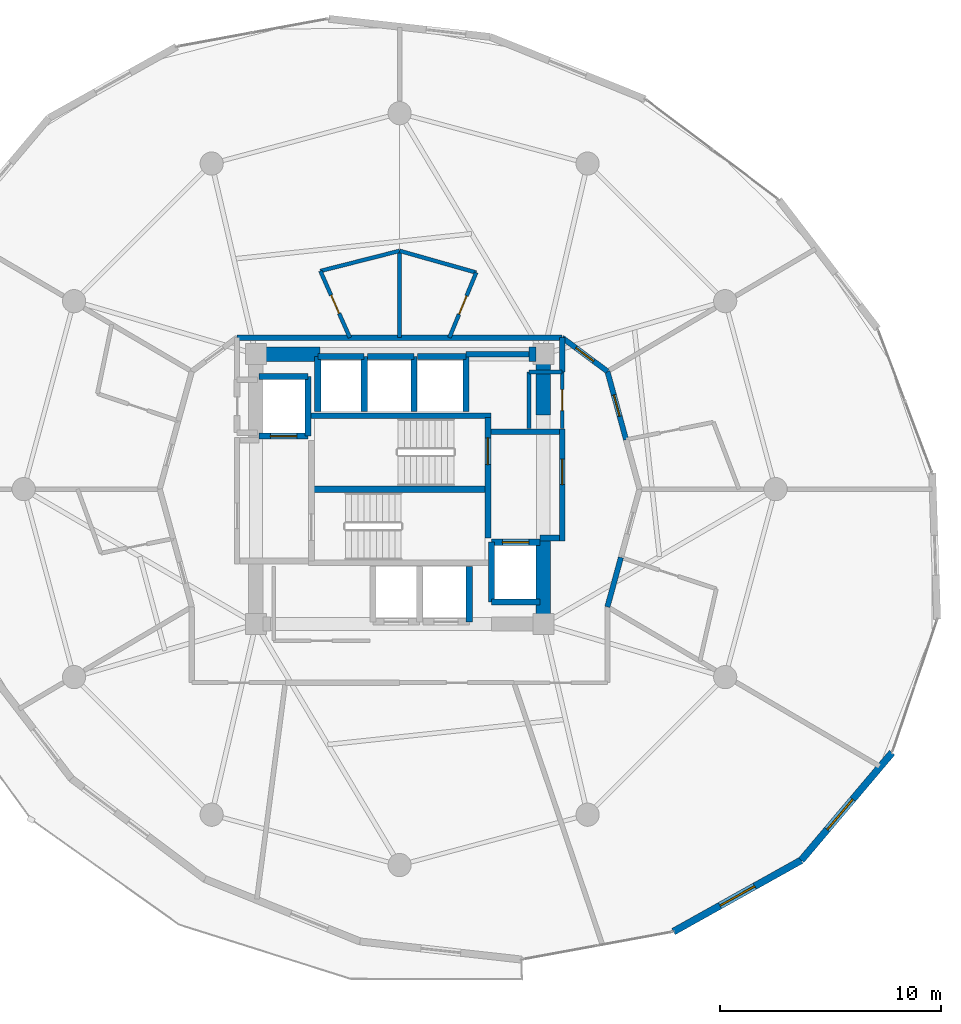
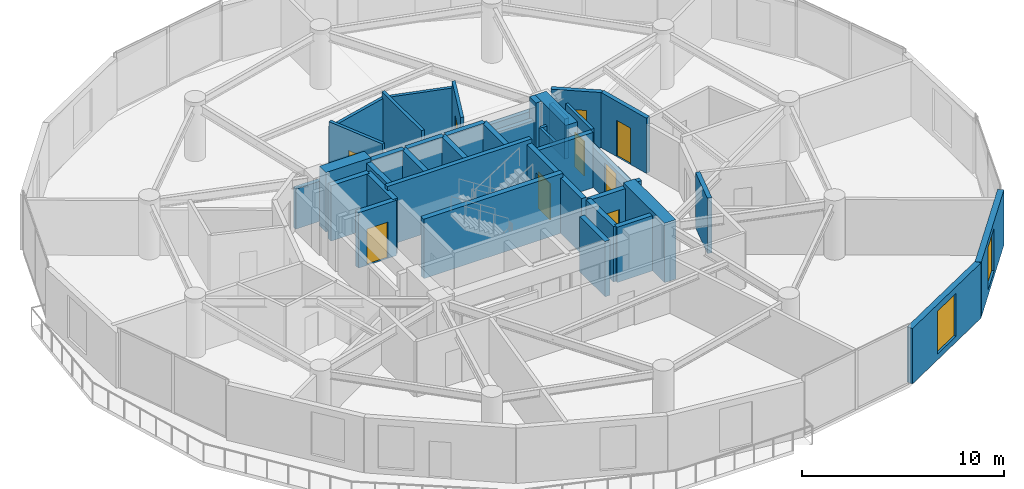
# One storey, part 22 of 25: 40 walls, 9 doors, 2 windows, 11 openings.
"""IFC4 building model written with IfcOpenShell, lengths in metres."""

from ifc_helpers import new_model, si_unit, direction, frame, frame_2d, origin, place, context, subcontext, project, spatial, rectangle, extrude, material, layer, layer_set, type_object, element, fill, save


model = new_model("IFC4")

# Units and contexts
model_context = context("Model", 3, precision=1e-05, world=origin(), true_north=direction((0.0, 1.0)))
body_context = subcontext(model_context, "Body", "Model", "MODEL_VIEW")
ifc_project = project(units=[si_unit("LENGTHUNIT", "METRE"), si_unit("AREAUNIT", "SQUARE_METRE"), si_unit("VOLUMEUNIT", "CUBIC_METRE"), si_unit("PLANEANGLEUNIT", "RADIAN"), si_unit("MASSUNIT", "GRAM", prefix="KILO")], contexts=[model_context])

# Site, building, storey
site_placement = place(None, origin())
site = spatial("IfcSite", under=ifc_project, at=site_placement, CompositionType="ELEMENT")
building_placement = place(site_placement, origin())
building = spatial("IfcBuilding", under=site, at=building_placement, Name="Solvirekh Grand Hotel", CompositionType="ELEMENT")
storey_placement = place(building_placement, frame((0.0, 0.0, 102.60009765625)))
storey = spatial("IfcBuildingStorey", under=building, at=storey_placement, Name="L25", CompositionType="ELEMENT", Elevation=102.60009765625)

# Walls
ifc_material_1 = material(Name="Concrete C50/60", Category="concrete")
ifc_layer_1 = layer(ifc_material_1, 0.35009765625)
ifc_layer_set_1 = layer_set([ifc_layer_1], Name="Concrete C50/60")
wall_type_1 = type_object("IfcWallType", Name="CoreDivWall_RC350", PredefinedType="SOLIDWALL", material=ifc_layer_set_1)
wall_1_placement = place(storey_placement, frame((-4.1298828125, 3.324951171875, 0.0), z_axis=(0.0, 0.0, 1.0), x_axis=(1.0, 0.0, 0.0)))
element("IfcWall", 1, at=wall_1_placement, inside=storey, type_object=wall_type_1, Name="L25 core stair box wall ST-N", PredefinedType="SOLIDWALL", context=body_context, shape_type="SweptSolid", body=[
    extrude(rectangle(XDim=8.259765625, YDim=0.25, at=frame_2d((4.1298828125, 0.0))), origin(), (0.0, 0.0, 1.0), 3.599853515625),
])
ifc_material_2 = material(Name="Concrete C40/50", Category="concrete")
ifc_layer_2 = layer(ifc_material_2, 0.280029296875)
ifc_layer_set_2 = layer_set([ifc_layer_2], Name="Concrete C40/50")
wall_type_2 = type_object("IfcWallType", Name="CoreShaftWall_RC280", PredefinedType="SOLIDWALL", material=ifc_layer_set_2)
wall_2_placement = place(storey_placement, frame((3.14990234375, -6.0, 0.0), z_axis=(0.0, 0.0, 1.0), x_axis=(0.0, 1.0, 0.0)))
element("IfcWall", 2, at=wall_2_placement, inside=storey, type_object=wall_type_2, Name="L25 MP-2 hoistway E wall", PredefinedType="SOLIDWALL", context=body_context, shape_type="SweptSolid", body=[
    extrude(rectangle(XDim=2.5, YDim=0.280029296875, at=frame_2d((1.25, 0.0))), origin(), (0.0, 0.0, 1.0), 3.349853515625),
])
wall_3_placement = place(storey_placement, frame((-1.60009765625, 6.0, 0.0), z_axis=(0.0, 0.0, 1.0), x_axis=(-1.0, 0.0, 0.0)))
element("IfcWall", 3, at=wall_3_placement, inside=storey, type_object=wall_type_2, Name="L25 HP-1 hoistway N wall", PredefinedType="SOLIDWALL", context=body_context, shape_type="SweptSolid", body=[
    extrude(rectangle(XDim=2.099853515625, YDim=0.280029296875, at=frame_2d((1.0498046875, 0.0))), origin(), (0.0, 0.0, 1.0), 3.349853515625),
])
for number, where, z_axis, x_axis, name in (
    (4, (-3.699951171875, 6.0, 0.0), (0.0, 0.0, 1.0), (0.0, -1.0, 0.0), "L25 HP-1 hoistway W wall"),
    (5, (-1.60009765625, 3.5, 0.0), (0.0, 0.0, 1.0), (0.0, 1.0, 0.0), "L25 HP-1 hoistway E wall"),
):
    element("IfcWall", number, at=place(storey_placement, frame(where, z_axis=z_axis, x_axis=x_axis)), inside=storey, type_object=wall_type_2, Name=name, PredefinedType="SOLIDWALL", context=body_context, shape_type="SweptSolid", body=[
        extrude(rectangle(XDim=2.5, YDim=0.280029296875, at=frame_2d((1.25, 0.0))), origin(), (0.0, 0.0, 1.0), 3.349853515625),
    ])
wall_4_placement = place(storey_placement, frame((0.64990234375, 6.0, 0.0), z_axis=(0.0, 0.0, 1.0), x_axis=(-1.0, 0.0, 0.0)))
element("IfcWall", 6, at=wall_4_placement, inside=storey, type_object=wall_type_2, Name="L25 HP-2 hoistway N wall", PredefinedType="SOLIDWALL", context=body_context, shape_type="SweptSolid", body=[
    extrude(rectangle(XDim=2.099853515625, YDim=0.280029296875, at=frame_2d((1.0498046875, 0.0))), origin(), (0.0, 0.0, 1.0), 3.349853515625),
])
wall_5_placement = place(storey_placement, frame((0.64990234375, 3.5, 0.0), z_axis=(0.0, 0.0, 1.0), x_axis=(0.0, 1.0, 0.0)))
element("IfcWall", 7, at=wall_5_placement, inside=storey, type_object=wall_type_2, Name="L25 HP-2 hoistway E wall", PredefinedType="SOLIDWALL", context=body_context, shape_type="SweptSolid", body=[
    extrude(rectangle(XDim=2.5, YDim=0.280029296875, at=frame_2d((1.25, 0.0))), origin(), (0.0, 0.0, 1.0), 3.349853515625),
])
wall_6_placement = place(storey_placement, frame((3.0, 6.0, 0.0), z_axis=(0.0, 0.0, 1.0), x_axis=(-1.0, 0.0, 0.0)))
element("IfcWall", 8, at=wall_6_placement, inside=storey, type_object=wall_type_2, Name="L25 EX-1 hoistway N wall", PredefinedType="SOLIDWALL", context=body_context, shape_type="SweptSolid", body=[
    extrude(rectangle(XDim=2.199951171875, YDim=0.280029296875, at=frame_2d((1.10009765625, 0.0))), origin(), (0.0, 0.0, 1.0), 3.349853515625),
])
wall_7_placement = place(storey_placement, frame((3.0, 3.5, 0.0), z_axis=(0.0, 0.0, 1.0), x_axis=(0.0, 1.0, 0.0)))
element("IfcWall", 9, at=wall_7_placement, inside=storey, type_object=wall_type_2, Name="L25 EX-1 hoistway E wall", PredefinedType="SOLIDWALL", context=body_context, shape_type="SweptSolid", body=[
    extrude(rectangle(XDim=2.5, YDim=0.280029296875, at=frame_2d((1.25, 0.0))), origin(), (0.0, 0.0, 1.0), 3.349853515625),
])

# Wall, opening, door
wall_8_placement = place(storey_placement, frame((-6.35009765625, 2.39990234375, 0.0), z_axis=(0.0, 0.0, 1.0), x_axis=(1.0, 0.0, 0.0)))
wall_8 = element("IfcWall", 10, at=wall_8_placement, inside=storey, type_object=wall_type_2, Name="L25 FL-1 hoistway S wall", PredefinedType="SOLIDWALL", context=body_context, shape_type="SweptSolid", body=[
    extrude(rectangle(XDim=2.2001953125, YDim=0.280029296875, at=frame_2d((1.10009765625, 0.0))), origin(), (0.0, 0.0, 1.0), 3.349853515625),
])
opening_1_placement = place(wall_8_placement, frame((0.5, 0.0, 0.0)))
opening_1 = element("IfcOpeningElement", 11, at=opening_1_placement, cuts=wall_8, Name="Opening LD02", PredefinedType="OPENING", context=body_context, shape_type="SweptSolid", body=[
    extrude(rectangle(XDim=1.199951171875, YDim=2.199951171875, at=frame_2d((0.60009765625, 1.10009765625))), frame((0.0, 0.14990234375, 0.0), z_axis=(0.0, -1.0, 0.0), x_axis=(1.0, 0.0, 0.0)), (0.0, 0.0, 1.0), 0.300048828125),
])
ifc_material_3 = material(Name="Fire-Rated Steel Door Assembly", Category="steel")
door_type_1 = type_object("IfcDoorType", Name="Door_LiftFF_1200X2200", OperationType="SLIDING_TO_LEFT", PredefinedType="DOOR", material=ifc_material_3)
door_1_placement = place(opening_1_placement, origin())
door_1 = element("IfcDoor", 12, at=door_1_placement, inside=storey, type_object=door_type_1, Name="L25 FL-1 sliding lift landing door", OperationType="SLIDING_TO_LEFT", OverallHeight=2.199951171875, OverallWidth=1.199951171875, PredefinedType="DOOR", context=body_context, shape_type="SweptSolid", body=[
    extrude(rectangle(XDim=1.199951171875, YDim=2.199951171875, at=frame_2d((0.60009765625, 1.10009765625))), frame((0.0, 0.02490234375, 0.0), z_axis=(0.0, -1.0, 0.0), x_axis=(1.0, 0.0, 0.0)), (0.0, 0.0, 1.0), 0.050048828125),
])
fill(opening_1, door_1)

# Walls
wall_9_placement = place(storey_placement, frame((-4.14990234375, 5.10009765625, 0.0), z_axis=(0.0, 0.0, 1.0), x_axis=(-1.0, 0.0, 0.0)))
element("IfcWall", 13, at=wall_9_placement, inside=storey, type_object=wall_type_2, Name="L25 FL-1 hoistway N wall", PredefinedType="SOLIDWALL", context=body_context, shape_type="SweptSolid", body=[
    extrude(rectangle(XDim=2.2001953125, YDim=0.280029296875, at=frame_2d((1.10009765625, 0.0))), origin(), (0.0, 0.0, 1.0), 3.349853515625),
])
wall_10_placement = place(storey_placement, frame((-4.14990234375, 2.39990234375, 0.0), z_axis=(0.0, 0.0, 1.0), x_axis=(0.0, 1.0, 0.0)))
element("IfcWall", 14, at=wall_10_placement, inside=storey, type_object=wall_type_2, Name="L25 FL-1 hoistway E wall", PredefinedType="SOLIDWALL", context=body_context, shape_type="SweptSolid", body=[
    extrude(rectangle(XDim=2.7001953125, YDim=0.280029296875, at=frame_2d((1.35009765625, 0.0))), origin(), (0.0, 0.0, 1.0), 3.349853515625),
])
wall_11_placement = place(storey_placement, frame((4.14990234375, -5.10009765625, 0.0), z_axis=(0.0, 0.0, 1.0), x_axis=(1.0, 0.0, 0.0)))
element("IfcWall", 15, at=wall_11_placement, inside=storey, type_object=wall_type_2, Name="L25 FL-2 hoistway S wall", PredefinedType="SOLIDWALL", context=body_context, shape_type="SweptSolid", body=[
    extrude(rectangle(XDim=2.2001953125, YDim=0.280029296875, at=frame_2d((1.10009765625, 0.0))), origin(), (0.0, 0.0, 1.0), 3.349853515625),
])

# Wall, opening, door
wall_12_placement = place(storey_placement, frame((6.35009765625, -2.39990234375, 0.0), z_axis=(0.0, 0.0, 1.0), x_axis=(-1.0, 0.0, 0.0)))
wall_12 = element("IfcWall", 16, at=wall_12_placement, inside=storey, type_object=wall_type_2, Name="L25 FL-2 hoistway N wall", PredefinedType="SOLIDWALL", context=body_context, shape_type="SweptSolid", body=[
    extrude(rectangle(XDim=2.2001953125, YDim=0.280029296875, at=frame_2d((1.10009765625, 0.0))), origin(), (0.0, 0.0, 1.0), 3.349853515625),
])
opening_2_placement = place(wall_12_placement, frame((0.5, 0.0, 0.0)))
opening_2 = element("IfcOpeningElement", 17, at=opening_2_placement, cuts=wall_12, Name="Opening LD02", PredefinedType="OPENING", context=body_context, shape_type="SweptSolid", body=[
    extrude(rectangle(XDim=1.199951171875, YDim=2.199951171875, at=frame_2d((0.60009765625, 1.10009765625))), frame((0.0, 0.14990234375, 0.0), z_axis=(0.0, -1.0, 0.0), x_axis=(1.0, 0.0, 0.0)), (0.0, 0.0, 1.0), 0.300048828125),
])
door_2_placement = place(opening_2_placement, origin())
door_2 = element("IfcDoor", 18, at=door_2_placement, inside=storey, type_object=door_type_1, Name="L25 FL-2 sliding lift landing door", OperationType="SLIDING_TO_LEFT", OverallHeight=2.199951171875, OverallWidth=1.199951171875, PredefinedType="DOOR", context=body_context, shape_type="SweptSolid", body=[
    extrude(rectangle(XDim=1.199951171875, YDim=2.199951171875, at=frame_2d((0.60009765625, 1.10009765625))), frame((0.0, 0.02490234375, 0.0), z_axis=(0.0, -1.0, 0.0), x_axis=(1.0, 0.0, 0.0)), (0.0, 0.0, 1.0), 0.050048828125),
])
fill(opening_2, door_2)

# Wall
wall_13_placement = place(storey_placement, frame((4.14990234375, -2.39990234375, 0.0), z_axis=(0.0, 0.0, 1.0), x_axis=(0.0, -1.0, 0.0)))
element("IfcWall", 19, at=wall_13_placement, inside=storey, type_object=wall_type_2, Name="L25 FL-2 hoistway W wall", PredefinedType="SOLIDWALL", context=body_context, shape_type="SweptSolid", body=[
    extrude(rectangle(XDim=2.7001953125, YDim=0.280029296875, at=frame_2d((1.35009765625, 0.0))), origin(), (0.0, 0.0, 1.0), 3.349853515625),
])

# Wall, opening, door
wall_14_placement = place(storey_placement, frame((3.989990234375, -2.2099609375, 0.0), z_axis=(0.0, 0.0, 1.0), x_axis=(0.0, 1.0, 0.0)))
wall_14 = element("IfcWall", 20, at=wall_14_placement, inside=storey, type_object=wall_type_2, Name="L25 east stair landing enclosure wall", PredefinedType="SOLIDWALL", context=body_context, shape_type="SweptSolid", body=[
    extrude(rectangle(XDim=5.4599609375, YDim=0.280029296875, at=frame_2d((2.72998046875, 0.0))), origin(), (0.0, 0.0, 1.0), 3.349853515625),
])
opening_3_placement = place(wall_14_placement, frame((3.322998046875, 0.0, 0.0)))
opening_3 = element("IfcOpeningElement", 21, at=opening_3_placement, cuts=wall_14, Name="Opening D05", PredefinedType="OPENING", context=body_context, shape_type="SweptSolid", body=[
    extrude(rectangle(XDim=1.199951171875, YDim=2.199951171875, at=frame_2d((0.60009765625, 1.10009765625))), frame((0.0, 0.14990234375, 0.0), z_axis=(0.0, -1.0, 0.0), x_axis=(1.0, 0.0, 0.0)), (0.0, 0.0, 1.0), 0.300048828125),
])
door_type_2 = type_object("IfcDoorType", Name="Door_StairCore_1200X2200", OperationType="NOTDEFINED", PredefinedType="DOOR", material=ifc_material_3)
door_3_placement = place(opening_3_placement, origin())
door_3 = element("IfcDoor", 22, at=door_3_placement, inside=storey, type_object=door_type_2, Name="L25 exit stair ST-2 fire door", OperationType="SINGLE_SWING_LEFT", OverallHeight=2.199951171875, OverallWidth=1.199951171875, PredefinedType="DOOR", context=body_context, shape_type="SweptSolid", body=[
    extrude(rectangle(XDim=1.199951171875, YDim=2.199951171875, at=frame_2d((0.60009765625, 1.10009765625))), frame((0.0, 0.02490234375, 0.0), z_axis=(0.0, -1.0, 0.0), x_axis=(1.0, 0.0, 0.0)), (0.0, 0.0, 1.0), 0.050048828125),
])
fill(opening_3, door_3)

# Walls
ifc_layer_3 = layer(ifc_material_1, 0.64990234375)
ifc_layer_set_3 = layer_set([ifc_layer_3], Name="Concrete C50/60")
wall_type_3 = type_object("IfcWallType", Name="CoreWall_RC650", PredefinedType="SHEAR", material=ifc_layer_set_3)
wall_15_placement = place(storey_placement, frame((-3.989990234375, 0.0, 0.0), z_axis=(0.0, 0.0, 1.0), x_axis=(1.0, 0.0, 0.0)))
element("IfcWall", 23, at=wall_15_placement, inside=storey, type_object=wall_type_3, Name="L25 central stair-spine shear wall", PredefinedType="SHEAR", context=body_context, shape_type="SweptSolid", body=[
    extrude(rectangle(XDim=7.97998046875, YDim=0.300048828125, at=frame_2d((3.989990234375, 0.0))), origin(), (0.0, 0.0, 1.0), 3.599853515625),
])
wall_16_placement = place(storey_placement, frame((-6.175048828125, 6.10009765625, 0.0), z_axis=(0.0, 0.0, 1.0), x_axis=(1.0, 0.0, 0.0)))
element("IfcWall", 24, at=wall_16_placement, inside=storey, type_object=wall_type_3, Name="L25 core corner shear wall NW-N", PredefinedType="SHEAR", context=body_context, shape_type="SweptSolid", body=[
    extrude(rectangle(XDim=2.574951171875, YDim=0.64990234375, at=frame_2d((1.28759765625, 0.0))), origin(), (0.0, 0.0, 1.0), 3.599853515625),
])
wall_17_placement = place(storey_placement, frame((5.85009765625, 6.10009765625, 0.0), z_axis=(0.0, 0.0, 1.0), x_axis=(1.0, 0.0, 0.0)))
element("IfcWall", 25, at=wall_17_placement, inside=storey, type_object=wall_type_3, Name="L25 core corner shear wall NE-N", PredefinedType="SHEAR", context=body_context, shape_type="SweptSolid", body=[
    extrude(rectangle(XDim=0.324951171875, YDim=0.64990234375, at=frame_2d((0.16259765625, 0.0))), origin(), (0.0, 0.0, 1.0), 3.599853515625),
])
wall_18_placement = place(storey_placement, frame((6.5, -6.425048828125, 0.0), z_axis=(0.0, 0.0, 1.0), x_axis=(0.0, 1.0, 0.0)))
element("IfcWall", 26, at=wall_18_placement, inside=storey, type_object=wall_type_3, Name="L25 core corner shear wall ES-E", PredefinedType="SHEAR", context=body_context, shape_type="SweptSolid", body=[
    extrude(rectangle(XDim=4.074951171875, YDim=0.64990234375, at=frame_2d((2.03759765625, 0.0))), origin(), (0.0, 0.0, 1.0), 3.599853515625),
])
wall_19_placement = place(storey_placement, frame((6.5, 3.35009765625, 0.0), z_axis=(0.0, 0.0, 1.0), x_axis=(0.0, 1.0, 0.0)))
element("IfcWall", 27, at=wall_19_placement, inside=storey, type_object=wall_type_3, Name="L25 core corner shear wall EN-E", PredefinedType="SHEAR", context=body_context, shape_type="SweptSolid", body=[
    extrude(rectangle(XDim=3.074951171875, YDim=0.64990234375, at=frame_2d((1.53759765625, 0.0))), origin(), (0.0, 0.0, 1.0), 3.599853515625),
])

# Wall, opening, window
ifc_material_4 = material(Name="Precast concrete C45/55", Category="concrete")
ifc_layer_4 = layer(ifc_material_4, 0.320068359375)
ifc_layer_set_4 = layer_set([ifc_layer_4], Name="Precast concrete C45/55")
wall_type_4 = type_object("IfcWallType", Name="ExtLobbyWall_RC320", PredefinedType="SOLIDWALL", material=ifc_layer_set_4)
wall_20_placement = place(storey_placement, frame((18.158935546875, -16.784912109375, 0.0), z_axis=(0.0, 0.0, 1.0), x_axis=(-0.873166276034, -0.487422459882, 0.0)))
wall_20 = element("IfcWall", 28, at=wall_20_placement, inside=storey, type_object=wall_type_4, Name="L25 exterior structural wall chord 19", PredefinedType="SOLIDWALL", context=body_context, shape_type="SweptSolid", body=[
    extrude(rectangle(XDim=6.612548828125, YDim=0.320068359375, at=frame_2d((3.30615234375, 0.0))), origin(), (0.0, 0.0, 1.0), 3.349853515625),
])
opening_4_placement = place(wall_20_placement, frame((2.406005859375, 0.0, 0.35009765625)))
opening_4 = element("IfcOpeningElement", 29, at=opening_4_placement, cuts=wall_20, Name="Opening W02", PredefinedType="OPENING", context=body_context, shape_type="SweptSolid", body=[
    extrude(rectangle(XDim=1.800048828125, YDim=2.60009765625, at=frame_2d((0.89990234375, 1.300048828125))), frame((0.0, 0.169921875, 0.0), z_axis=(0.0, -1.0, 0.0), x_axis=(1.0, 0.0, 0.0)), (0.0, 0.0, 1.0), 0.340087890625),
])
ifc_material_5 = material(Name="Low-E Tinted Bronze Laminated Glass", Category="aluminium")
window_type = type_object("IfcWindowType", Name="Win_LobbyExt_1800X2600", PartitioningType="SINGLE_PANEL", PredefinedType="WINDOW", material=ifc_material_5)
window_1_placement = place(opening_4_placement, origin())
window_1 = element("IfcWindow", 30, at=window_1_placement, inside=storey, type_object=window_type, Name="L25 panoramic bronze-framed window 19", OverallHeight=2.60009765625, OverallWidth=1.800048828125, PartitioningType="SINGLE_PANEL", PredefinedType="WINDOW", context=body_context, shape_type="SweptSolid", body=[
    extrude(rectangle(XDim=1.800048828125, YDim=2.60009765625, at=frame_2d((0.89990234375, 1.300048828125))), frame((0.0, 0.030029296875, 0.0), z_axis=(0.0, -1.0, 0.0), x_axis=(1.0, 0.0, 0.0)), (0.0, 0.0, 1.0), 0.06005859375),
])
fill(opening_4, window_1)

wall_21_placement = place(storey_placement, frame((22.26904296875, -11.9189453125, 0.0), z_axis=(0.0, 0.0, 1.0), x_axis=(-0.645278763483, -0.763947195425, 0.0)))
wall_21 = element("IfcWall", 31, at=wall_21_placement, inside=storey, type_object=wall_type_4, Name="L25 exterior structural wall chord 20", PredefinedType="SOLIDWALL", context=body_context, shape_type="SweptSolid", body=[
    extrude(rectangle(XDim=6.369384765625, YDim=0.320068359375, at=frame_2d((3.1845703125, 0.0))), origin(), (0.0, 0.0, 1.0), 3.349853515625),
])
opening_5_placement = place(wall_21_placement, frame((2.7509765625, 0.0, 0.35009765625)))
opening_5 = element("IfcOpeningElement", 32, at=opening_5_placement, cuts=wall_21, Name="Opening W02", PredefinedType="OPENING", context=body_context, shape_type="SweptSolid", body=[
    extrude(rectangle(XDim=1.800048828125, YDim=2.60009765625, at=frame_2d((0.89990234375, 1.300048828125))), frame((0.0, 0.169921875, 0.0), z_axis=(0.0, -1.0, 0.0), x_axis=(1.0, 0.0, 0.0)), (0.0, 0.0, 1.0), 0.340087890625),
])
window_2_placement = place(opening_5_placement, origin())
window_2 = element("IfcWindow", 33, at=window_2_placement, inside=storey, type_object=window_type, Name="L25 panoramic bronze-framed window 20", OverallHeight=2.60009765625, OverallWidth=1.800048828125, PartitioningType="SINGLE_PANEL", PredefinedType="WINDOW", context=body_context, shape_type="SweptSolid", body=[
    extrude(rectangle(XDim=1.800048828125, YDim=2.60009765625, at=frame_2d((0.89990234375, 1.300048828125))), frame((0.0, 0.030029296875, 0.0), z_axis=(0.0, -1.0, 0.0), x_axis=(1.0, 0.0, 0.0)), (0.0, 0.0, 1.0), 0.06005859375),
])
fill(opening_5, window_2)

# Wall, opening, door
ifc_material_6 = material(Name="Acoustic Gypsum Partition Assembly")
ifc_layer_5 = layer(ifc_material_6, 0.1650390625)
ifc_layer_set_5 = layer_set([ifc_layer_5], Name="Acoustic Gypsum Partition Assembly")
wall_type_5 = type_object("IfcWallType", Name="Part_BOH_165", PredefinedType="PARTITIONING", material=ifc_layer_set_5)
wall_22_placement = place(storey_placement, frame((7.35009765625, 2.75, 0.0), z_axis=(0.0, 0.0, 1.0), x_axis=(0.0, 1.0, 0.0)))
wall_22 = element("IfcWall", 34, at=wall_22_placement, inside=storey, type_object=wall_type_5, Name="L25 L25 Core Housekeeping & Linen Room wall 2", PredefinedType="PARTITIONING", context=body_context, shape_type="SweptSolid", body=[
    extrude(rectangle(XDim=2.550048828125, YDim=0.1650390625, at=frame_2d((1.27490234375, 0.0))), origin(), (0.0, 0.0, 1.0), 3.349853515625),
])
opening_6_placement = place(wall_22_placement, frame((0.800048828125, 0.0, 0.0)))
opening_6 = element("IfcOpeningElement", 35, at=opening_6_placement, cuts=wall_22, Name="Opening D10", PredefinedType="OPENING", context=body_context, shape_type="SweptSolid", body=[
    extrude(rectangle(XDim=0.949951171875, YDim=2.10009765625, at=frame_2d((0.47509765625, 1.050048828125))), frame((0.0, 0.092529296875, 0.0), z_axis=(0.0, -1.0, 0.0), x_axis=(1.0, 0.0, 0.0)), (0.0, 0.0, 1.0), 0.18505859375),
])
ifc_material_7 = material(Name="Anodized Bronze Aluminium 6063-T6", Category="aluminium")
door_type_3 = type_object("IfcDoorType", Name="Door_RoomInt_950X2100", OperationType="NOTDEFINED", PredefinedType="DOOR", material=ifc_material_7)
door_4_placement = place(opening_6_placement, origin())
door_4 = element("IfcDoor", 36, at=door_4_placement, inside=storey, type_object=door_type_3, Name="L25 L25 Core Housekeeping & Linen Room door", OperationType="SINGLE_SWING_LEFT", OverallHeight=2.10009765625, OverallWidth=0.949951171875, PredefinedType="DOOR", context=body_context, shape_type="SweptSolid", body=[
    extrude(rectangle(XDim=0.949951171875, YDim=2.10009765625, at=frame_2d((0.47509765625, 1.050048828125))), frame((0.0, 0.02490234375, 0.0), z_axis=(0.0, -1.0, 0.0), x_axis=(1.0, 0.0, 0.0)), (0.0, 0.0, 1.0), 0.050048828125),
])
fill(opening_6, door_4)

# Walls
wall_23_placement = place(storey_placement, frame((7.35009765625, 5.300048828125, 0.0), z_axis=(0.0, 0.0, 1.0), x_axis=(-1.0, 0.0, 0.0)))
element("IfcWall", 37, at=wall_23_placement, inside=storey, type_object=wall_type_5, Name="L25 L25 Core Housekeeping & Linen Room wall 3", PredefinedType="PARTITIONING", context=body_context, shape_type="SweptSolid", body=[
    extrude(rectangle(XDim=1.5, YDim=0.1650390625, at=frame_2d((0.75, 0.0))), origin(), (0.0, 0.0, 1.0), 2.434814453125),
])
wall_24_placement = place(storey_placement, frame((5.85009765625, 5.300048828125, 0.0), z_axis=(0.0, 0.0, 1.0), x_axis=(0.0, -1.0, 0.0)))
element("IfcWall", 38, at=wall_24_placement, inside=storey, type_object=wall_type_5, Name="L25 L25 Core Housekeeping & Linen Room wall 4", PredefinedType="PARTITIONING", context=body_context, shape_type="SweptSolid", body=[
    extrude(rectangle(XDim=2.550048828125, YDim=0.1650390625, at=frame_2d((1.27490234375, 0.0))), origin(), (0.0, 0.0, 1.0), 2.434814453125),
])

# Wall, opening, door
ifc_layer_6 = layer(ifc_material_6, 0.239990234375)
ifc_layer_set_6 = layer_set([ifc_layer_6], Name="Acoustic Gypsum Partition Assembly")
wall_type_6 = type_object("IfcWallType", Name="Part_Corridor_240", PredefinedType="PARTITIONING", material=ifc_layer_set_6)
wall_25_placement = place(storey_placement, frame((7.35009765625, -2.340087890625, 0.0), z_axis=(0.0, 0.0, 1.0), x_axis=(0.0, 1.0, 0.0)))
wall_25 = element("IfcWall", 39, at=wall_25_placement, inside=storey, type_object=wall_type_6, Name="L25 east firefighting lobby smoke screen wall", PredefinedType="PARTITIONING", context=body_context, shape_type="SweptSolid", body=[
    extrude(rectangle(XDim=5.070068359375, YDim=0.239990234375, at=frame_2d((2.53515625, 0.0))), origin(), (0.0, 0.0, 1.0), 2.434814453125),
])
opening_7_placement = place(wall_25_placement, frame((2.548095703125, 0.0, 0.0)))
opening_7 = element("IfcOpeningElement", 40, at=opening_7_placement, cuts=wall_25, Name="Opening D06", PredefinedType="OPENING", context=body_context, shape_type="SweptSolid", body=[
    extrude(rectangle(XDim=1.14990234375, YDim=2.199951171875, at=frame_2d((0.574951171875, 1.10009765625))), frame((0.0, 0.1298828125, 0.0), z_axis=(0.0, -1.0, 0.0), x_axis=(1.0, 0.0, 0.0)), (0.0, 0.0, 1.0), 0.260009765625),
])
door_type_4 = type_object("IfcDoorType", Name="Door_FFLobby_1150X2200", OperationType="NOTDEFINED", PredefinedType="DOOR", material=ifc_material_3)
door_5_placement = place(opening_7_placement, origin())
door_5 = element("IfcDoor", 41, at=door_5_placement, inside=storey, type_object=door_type_4, Name="L25 east firefighting lobby smoke door", OperationType="SINGLE_SWING_LEFT", OverallHeight=2.199951171875, OverallWidth=1.14990234375, PredefinedType="DOOR", context=body_context, shape_type="SweptSolid", body=[
    extrude(rectangle(XDim=1.14990234375, YDim=2.199951171875, at=frame_2d((0.574951171875, 1.10009765625))), frame((0.0, 0.02490234375, 0.0), z_axis=(0.0, -1.0, 0.0), x_axis=(1.0, 0.0, 0.0)), (0.0, 0.0, 1.0), 0.050048828125),
])
fill(opening_7, door_5)

# Walls
wall_26_placement = place(storey_placement, frame((-7.35009765625, 6.85009765625, 0.0), z_axis=(0.0, 0.0, 1.0), x_axis=(1.0, 0.0, 0.0)))
element("IfcWall", 42, at=wall_26_placement, inside=storey, type_object=wall_type_6, Name="L25 north core backing partition", PredefinedType="PARTITIONING", context=body_context, shape_type="SweptSolid", body=[
    extrude(rectangle(XDim=14.7001953125, YDim=0.239990234375, at=frame_2d((7.35009765625, 0.0))), origin(), (0.0, 0.0, 1.0), 2.434814453125),
])
wall_27_placement = place(storey_placement, frame((7.35009765625, 5.300048828125, 0.0), z_axis=(0.0, 0.0, 1.0), x_axis=(0.0, 1.0, 0.0)))
element("IfcWall", 43, at=wall_27_placement, inside=storey, type_object=wall_type_6, Name="L25 NE core cheek closure wall", PredefinedType="PARTITIONING", context=body_context, shape_type="SweptSolid", body=[
    extrude(rectangle(XDim=1.550048828125, YDim=0.239990234375, at=frame_2d((0.77490234375, 0.0))), origin(), (0.0, 0.0, 1.0), 2.434814453125),
])
wall_28_placement = place(storey_placement, frame((3.0, 6.10009765625, 0.0), z_axis=(0.0, 0.0, 1.0), x_axis=(1.0, 0.0, 0.0)))
element("IfcWall", 44, at=wall_28_placement, inside=storey, type_object=wall_type_6, Name="L25 north core shaft infill wall", PredefinedType="PARTITIONING", context=body_context, shape_type="SweptSolid", body=[
    extrude(rectangle(XDim=2.85009765625, YDim=0.239990234375, at=frame_2d((1.425048828125, 0.0))), origin(), (0.0, 0.0, 1.0), 2.434814453125),
])

# Wall, opening, door
wall_29_placement = place(storey_placement, frame((7.35009765625, 6.85009765625, 0.0), z_axis=(0.0, 0.0, 1.0), x_axis=(0.8017416961, -0.597670689205, 0.0)))
wall_29 = element("IfcWall", 45, at=wall_29_placement, inside=storey, type_object=wall_type_6, Name="L25 Panorama Suite 2701 entrance wall", PredefinedType="PARTITIONING", context=body_context, shape_type="SweptSolid", body=[
    extrude(rectangle(XDim=2.5517578125, YDim=0.239990234375, at=frame_2d((1.27587890625, 0.0))), origin(), (0.0, 0.0, 1.0), 3.349853515625),
])
opening_8_placement = place(wall_29_placement, frame((0.77587890625, 0.0, 0.0)))
opening_8 = element("IfcOpeningElement", 46, at=opening_8_placement, cuts=wall_29, Name="Opening D07", PredefinedType="OPENING", context=body_context, shape_type="SweptSolid", body=[
    extrude(rectangle(XDim=1.0, YDim=2.199951171875, at=frame_2d((0.5, 1.10009765625))), frame((0.0, 0.1298828125, 0.0), z_axis=(0.0, -1.0, 0.0), x_axis=(1.0, 0.0, 0.0)), (0.0, 0.0, 1.0), 0.260009765625),
])
door_type_5 = type_object("IfcDoorType", Name="Door_GuestEntry_1000X2200", OperationType="NOTDEFINED", PredefinedType="DOOR", material=ifc_material_3)
door_6_placement = place(opening_8_placement, origin())
door_6 = element("IfcDoor", 47, at=door_6_placement, inside=storey, type_object=door_type_5, Name="L25 Panorama Suite 2701 entrance door", OperationType="SINGLE_SWING_RIGHT", OverallHeight=2.199951171875, OverallWidth=1.0, PredefinedType="DOOR", context=body_context, shape_type="SweptSolid", body=[
    extrude(rectangle(XDim=1.0, YDim=2.199951171875, at=frame_2d((0.5, 1.10009765625))), frame((0.0, 0.02490234375, 0.0), z_axis=(0.0, -1.0, 0.0), x_axis=(1.0, 0.0, 0.0)), (0.0, 0.0, 1.0), 0.050048828125),
])
fill(opening_8, door_6)

# Wall
wall_30_placement = place(storey_placement, frame((9.39599609375, -5.324951171875, 0.0), z_axis=(0.0, 0.0, 1.0), x_axis=(0.263643210908, 0.964620265878, 0.0)))
element("IfcWall", 48, at=wall_30_placement, inside=storey, type_object=wall_type_6, Name="L25 En-suite Bathroom 2705 corridor backing wall", PredefinedType="PARTITIONING", context=body_context, shape_type="SweptSolid", body=[
    extrude(rectangle(XDim=2.31787109375, YDim=0.239990234375, at=frame_2d((1.158935546875, 0.0))), origin(), (0.0, 0.0, 1.0), 3.349853515625),
])

# Wall, opening, door
wall_31_placement = place(storey_placement, frame((10.239013671875, 2.236083984375, 0.0), z_axis=(0.0, 0.0, 1.0), x_axis=(-0.26329160366, 0.964716295831, 0.0)))
wall_31 = element("IfcWall", 49, at=wall_31_placement, inside=storey, type_object=wall_type_6, Name="L25 Deluxe Guestroom 2706 entrance wall", PredefinedType="PARTITIONING", context=body_context, shape_type="SweptSolid", body=[
    extrude(rectangle(XDim=3.201904296875, YDim=0.239990234375, at=frame_2d((1.60107421875, 0.0))), origin(), (0.0, 0.0, 1.0), 3.349853515625),
])
opening_9_placement = place(wall_31_placement, frame((1.10107421875, 0.0, 0.0)))
opening_9 = element("IfcOpeningElement", 50, at=opening_9_placement, cuts=wall_31, Name="Opening D07", PredefinedType="OPENING", context=body_context, shape_type="SweptSolid", body=[
    extrude(rectangle(XDim=1.0, YDim=2.199951171875, at=frame_2d((0.5, 1.10009765625))), frame((0.0, 0.1298828125, 0.0), z_axis=(0.0, -1.0, 0.0), x_axis=(1.0, 0.0, 0.0)), (0.0, 0.0, 1.0), 0.260009765625),
])
door_7_placement = place(opening_9_placement, origin())
door_7 = element("IfcDoor", 51, at=door_7_placement, inside=storey, type_object=door_type_5, Name="L25 Deluxe Guestroom 2706 entrance door", OperationType="SINGLE_SWING_RIGHT", OverallHeight=2.199951171875, OverallWidth=1.0, PredefinedType="DOOR", context=body_context, shape_type="SweptSolid", body=[
    extrude(rectangle(XDim=1.0, YDim=2.199951171875, at=frame_2d((0.5, 1.10009765625))), frame((0.0, 0.02490234375, 0.0), z_axis=(0.0, -1.0, 0.0), x_axis=(1.0, 0.0, 0.0)), (0.0, 0.0, 1.0), 0.050048828125),
])
fill(opening_9, door_7)

# Walls
ifc_layer_7 = layer(ifc_material_6, 0.260009765625)
ifc_layer_set_7 = layer_set([ifc_layer_7], Name="Acoustic Gypsum Partition Assembly")
wall_type_7 = type_object("IfcWallType", Name="Part_LobbyFF_260", PredefinedType="PARTITIONING", material=ifc_layer_set_7)
wall_32_placement = place(storey_placement, frame((6.35009765625, -2.2099609375, 0.0), z_axis=(0.0, 0.0, 1.0), x_axis=(1.0, 0.0, 0.0)))
element("IfcWall", 52, at=wall_32_placement, inside=storey, type_object=wall_type_7, Name="L25 east firefighting lobby SE cheek", PredefinedType="PARTITIONING", context=body_context, shape_type="SweptSolid", body=[
    extrude(rectangle(XDim=0.875, YDim=0.260009765625, at=frame_2d((0.4375, 0.0))), origin(), (0.0, 0.0, 1.0), 3.349853515625),
])
wall_33_placement = place(storey_placement, frame((4.1298828125, 2.60009765625, 0.0), z_axis=(0.0, 0.0, 1.0), x_axis=(1.0, 0.0, 0.0)))
element("IfcWall", 53, at=wall_33_placement, inside=storey, type_object=wall_type_7, Name="L25 east firefighting lobby north partition", PredefinedType="PARTITIONING", context=body_context, shape_type="SweptSolid", body=[
    extrude(rectangle(XDim=3.09521484375, YDim=0.260009765625, at=frame_2d((1.547607421875, 0.0))), origin(), (0.0, 0.0, 1.0), 3.349853515625),
])
ifc_layer_8 = layer(ifc_material_6, 0.175048828125)
ifc_layer_set_8 = layer_set([ifc_layer_8], Name="Acoustic Gypsum Partition Assembly")
wall_type_8 = type_object("IfcWallType", Name="Plumb_Ensuite_175", PredefinedType="PLUMBINGWALL", material=ifc_layer_set_8)
wall_34_placement = place(storey_placement, frame((0.0, 10.77587890625, 0.0), z_axis=(0.0, 0.0, 1.0), x_axis=(0.962140957865, -0.272552338459, 0.0)))
element("IfcWall", 54, at=wall_34_placement, inside=storey, type_object=wall_type_8, Name="L25 En-suite Bathroom 2701 outer plumbing wall", PredefinedType="PLUMBINGWALL", context=body_context, shape_type="SweptSolid", body=[
    extrude(rectangle(XDim=3.59912109375, YDim=0.175048828125, at=frame_2d((1.799560546875, 0.0))), origin(), (0.0, 0.0, 1.0), 2.98486328125),
])
wall_35_placement = place(storey_placement, frame((0.0, 10.77587890625, 0.0), z_axis=(0.0, 0.0, 1.0), x_axis=(0.0, -1.0, 0.0)))
element("IfcWall", 55, at=wall_35_placement, inside=storey, type_object=wall_type_8, Name="L25 En-suite Bathroom 2701 side plumbing wall", PredefinedType="PLUMBINGWALL", context=body_context, shape_type="SweptSolid", body=[
    extrude(rectangle(XDim=3.92578125, YDim=0.175048828125, at=frame_2d((1.962890625, 0.0))), origin(), (0.0, 0.0, 1.0), 3.349853515625),
])

# Wall, opening, door
wall_36_placement = place(storey_placement, frame((2.25, 6.85009765625, 0.0), z_axis=(0.0, 0.0, 1.0), x_axis=(0.380834625893, 0.924643167779, 0.0)))
wall_36 = element("IfcWall", 56, at=wall_36_placement, inside=storey, type_object=wall_type_8, Name="L25 En-suite Bathroom 2701 entry plumbing wall", PredefinedType="PLUMBINGWALL", context=body_context, shape_type="SweptSolid", body=[
    extrude(rectangle(XDim=3.184814453125, YDim=0.175048828125, at=frame_2d((1.59228515625, 0.0))), origin(), (0.0, 0.0, 1.0), 3.349853515625),
])
opening_10_placement = place(wall_36_placement, frame((1.14306640625, 0.0, 0.0)))
opening_10 = element("IfcOpeningElement", 57, at=opening_10_placement, cuts=wall_36, Name="Opening D09", PredefinedType="OPENING", context=body_context, shape_type="SweptSolid", body=[
    extrude(rectangle(XDim=0.89990234375, YDim=2.10009765625, at=frame_2d((0.449951171875, 1.050048828125))), frame((0.0, 0.09765625, 0.0), z_axis=(0.0, -1.0, 0.0), x_axis=(1.0, 0.0, 0.0)), (0.0, 0.0, 1.0), 0.195068359375),
])
door_type_6 = type_object("IfcDoorType", Name="Door_Ensuite_900X2100", OperationType="NOTDEFINED", PredefinedType="DOOR", material=ifc_material_7)
door_8_placement = place(opening_10_placement, origin())
door_8 = element("IfcDoor", 58, at=door_8_placement, inside=storey, type_object=door_type_6, Name="L25 En-suite Bathroom 2701 door", OperationType="SINGLE_SWING_LEFT", OverallHeight=2.10009765625, OverallWidth=0.89990234375, PredefinedType="DOOR", context=body_context, shape_type="SweptSolid", body=[
    extrude(rectangle(XDim=0.89990234375, YDim=2.10009765625, at=frame_2d((0.449951171875, 1.050048828125))), frame((0.0, 0.02490234375, 0.0), z_axis=(0.0, -1.0, 0.0), x_axis=(1.0, 0.0, 0.0)), (0.0, 0.0, 1.0), 0.050048828125),
])
fill(opening_10, door_8)

# Wall
wall_37_placement = place(storey_placement, frame((-3.583984375, 9.864990234375, 0.0), z_axis=(0.0, 0.0, 1.0), x_axis=(0.969187500781, 0.246324152957, 0.0)))
element("IfcWall", 59, at=wall_37_placement, inside=storey, type_object=wall_type_8, Name="L25 En-suite Bathroom 2702 outer plumbing wall", PredefinedType="PLUMBINGWALL", context=body_context, shape_type="SweptSolid", body=[
    extrude(rectangle(XDim=3.697998046875, YDim=0.175048828125, at=frame_2d((1.84912109375, 0.0))), origin(), (0.0, 0.0, 1.0), 2.98486328125),
])

# Wall, opening, door
wall_38_placement = place(storey_placement, frame((-3.583984375, 9.864990234375, 0.0), z_axis=(0.0, 0.0, 1.0), x_axis=(0.404626310395, -0.914482120621, 0.0)))
wall_38 = element("IfcWall", 60, at=wall_38_placement, inside=storey, type_object=wall_type_8, Name="L25 En-suite Bathroom 2702 entry plumbing wall", PredefinedType="PLUMBINGWALL", context=body_context, shape_type="SweptSolid", body=[
    extrude(rectangle(XDim=3.296875, YDim=0.175048828125, at=frame_2d((1.6484375, 0.0))), origin(), (0.0, 0.0, 1.0), 3.349853515625),
])
opening_11_placement = place(wall_38_placement, frame((1.197998046875, 0.0, 0.0)))
opening_11 = element("IfcOpeningElement", 61, at=opening_11_placement, cuts=wall_38, Name="Opening D09", PredefinedType="OPENING", context=body_context, shape_type="SweptSolid", body=[
    extrude(rectangle(XDim=0.89990234375, YDim=2.10009765625, at=frame_2d((0.449951171875, 1.050048828125))), frame((0.0, 0.09765625, 0.0), z_axis=(0.0, -1.0, 0.0), x_axis=(1.0, 0.0, 0.0)), (0.0, 0.0, 1.0), 0.195068359375),
])
door_9_placement = place(opening_11_placement, origin())
door_9 = element("IfcDoor", 62, at=door_9_placement, inside=storey, type_object=door_type_6, Name="L25 En-suite Bathroom 2702 door", OperationType="SINGLE_SWING_LEFT", OverallHeight=2.10009765625, OverallWidth=0.89990234375, PredefinedType="DOOR", context=body_context, shape_type="SweptSolid", body=[
    extrude(rectangle(XDim=0.89990234375, YDim=2.10009765625, at=frame_2d((0.449951171875, 1.050048828125))), frame((0.0, 0.02490234375, 0.0), z_axis=(0.0, -1.0, 0.0), x_axis=(1.0, 0.0, 0.0)), (0.0, 0.0, 1.0), 0.050048828125),
])
fill(opening_11, door_9)

save(model, "model.ifc")
